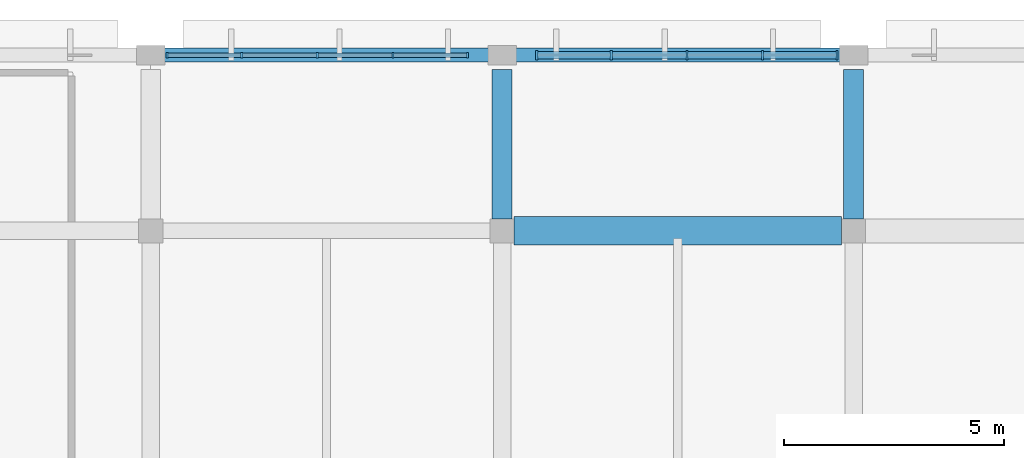
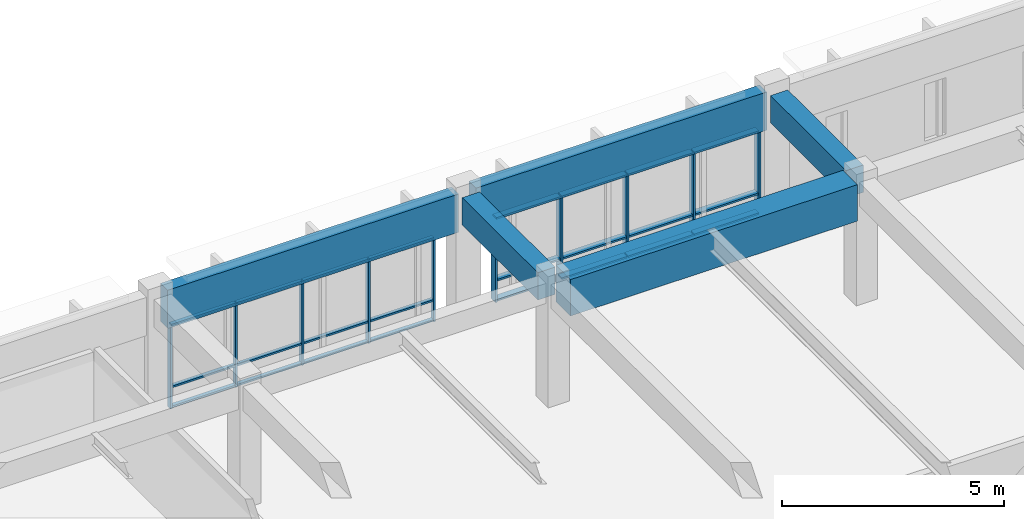
# One storey, part 20 of 155: 34 members, 5 beams, 2 elements without a shape of their own.
"""IFC4 building model written with IfcOpenShell, lengths in metres."""

import ifcopenshell
import ifcopenshell.guid

model = None  # the IFC model being written
_history = None  # IfcOwnerHistory: only IFC2X3 demands one
_inside = {}  # id of a spatial element -> (the spatial element, [elements in it])
_under = {}  # id of a project, library or spatial element -> (it, [spatial elements below it])
_declared = {}  # id of a project -> (the project, [libraries it declares])
_typed = {}  # id of a type object -> (the type object, [elements of that type])
_made_of = {}  # id of a material, layer set ... -> (it, [elements and type objects made of it])


def new_model(schema):
    """Start an empty IFC model of exactly this schema.

    Asked for "IFC4X3", IfcOpenShell would pick the latest addendum, in which some entities
    have other attributes; the version numbers below select the first issue.
    IFC2X3 requires an IfcOwnerHistory on every rooted entity: one is made here for all.
    """
    global model, _history
    if schema == "IFC4X3":
        model = ifcopenshell.file(schema_version=(4, 3, 0, 0))
    else:
        model = ifcopenshell.file(schema=schema)
    _inside.clear()
    _under.clear()
    _declared.clear()
    _typed.clear()
    _made_of.clear()
    _history = None
    if model.schema == "IFC2X3":
        org = make("IfcOrganization", Name="unknown")
        user = make(
            "IfcPersonAndOrganization",
            ThePerson=make("IfcPerson", FamilyName="unknown"),
            TheOrganization=org,
        )
        app = make(
            "IfcApplication",
            ApplicationDeveloper=org,
            Version="unknown",
            ApplicationFullName="unknown",
            ApplicationIdentifier="unknown",
        )
        _history = make(
            "IfcOwnerHistory",
            OwningUser=user,
            OwningApplication=app,
            ChangeAction="ADDED",
            CreationDate=0,
        )
    return model


def make(cls, **values):
    """One entity of the class cls with the attributes given. An attribute that is None is left unset."""
    return model.create_entity(
        cls, **{name: value for name, value in values.items() if value is not None}
    )


def rooted(cls, **values):
    """An entity with a GlobalId (a new one), such as an element, a storey or a relation."""
    return make(cls, GlobalId=ifcopenshell.guid.new(), OwnerHistory=_history, **values)


def si_unit(unit_type, name, prefix=None):
    """IfcSIUnit, for example si_unit("LENGTHUNIT", "METRE", prefix="MILLI")."""
    return make("IfcSIUnit", UnitType=unit_type, Prefix=prefix, Name=name)


def assignment(units):
    """IfcUnitAssignment: the units of a project."""
    return None if units is None else make("IfcUnitAssignment", Units=units)


def point(xyz):
    """IfcCartesianPoint."""
    return None if xyz is None else make("IfcCartesianPoint", Coordinates=xyz)


def direction(xyz):
    """IfcDirection."""
    return None if xyz is None else make("IfcDirection", DirectionRatios=xyz)


def frame(location, z_axis=None, x_axis=None):
    """IfcAxis2Placement3D, a coordinate frame: its origin and axes. An axis left out is left unset."""
    return make(
        "IfcAxis2Placement3D",
        Location=point(location),
        Axis=direction(z_axis),
        RefDirection=direction(x_axis),
    )


def frame_2d(location, x_axis=None):
    """IfcAxis2Placement2D, a coordinate frame in the plane: its origin and x axis."""
    return make(
        "IfcAxis2Placement2D", Location=point(location), RefDirection=direction(x_axis)
    )


def origin():
    """The frame at (0, 0, 0) with its axes left unset."""
    return frame((0.0, 0.0, 0.0))


def origin_2d():
    """The frame at (0, 0) in the plane with its x axis left unset."""
    return frame_2d((0.0, 0.0))


def place(relative_to, where):
    """IfcLocalPlacement: puts the frame where relative to a parent placement (None: the world)."""
    return make(
        "IfcLocalPlacement", PlacementRelTo=relative_to, RelativePlacement=where
    )


def context(
    kind, dimensions, precision=None, world=None, true_north=None, identifier=None
):
    """IfcGeometricRepresentationContext, for example the 3D "Model" context."""
    return make(
        "IfcGeometricRepresentationContext",
        ContextIdentifier=identifier,
        ContextType=kind,
        CoordinateSpaceDimension=dimensions,
        Precision=precision,
        WorldCoordinateSystem=world,
        TrueNorth=true_north,
    )


def subcontext(parent, identifier, kind, view, scale=None):
    """IfcGeometricRepresentationSubContext, for example "Body" below "Model"."""
    return make(
        "IfcGeometricRepresentationSubContext",
        ContextIdentifier=identifier,
        ContextType=kind,
        ParentContext=parent,
        TargetScale=scale,
        TargetView=view,
    )


def project(units=None, contexts=None):
    """IfcProject with its units and contexts."""
    return rooted(
        "IfcProject",
        Name="project",
        RepresentationContexts=contexts,
        UnitsInContext=assignment(units),
    )


def spatial(cls, under=None, at=None, **own):
    """A site, building, storey or space (cls), placed at a placement, below another one or the project."""
    s = rooted(cls, ObjectPlacement=at, **own)
    if under is not None:
        _under.setdefault(under.id(), (under, []))[1].append(s)
    return s


def profile(cls, at=None, kind="AREA", **sizes):
    """A parametric profile (cls). Its sizes go by their IFC names, for example OverallWidth=200.0."""
    return make(cls, ProfileType=kind, Position=at, **sizes)


def rectangle(**sizes):
    """IfcRectangleProfileDef."""
    return profile("IfcRectangleProfileDef", **sizes)


def extrude(swept, where, along, depth):
    """IfcExtrudedAreaSolid: the profile swept, set in the frame where, extruded along a direction by depth."""
    return make(
        "IfcExtrudedAreaSolid",
        SweptArea=swept,
        Position=where,
        ExtrudedDirection=direction(along),
        Depth=depth,
    )


def shape(context_of_items, identifier, shape_type, items):
    """IfcShapeRepresentation: the items that make up one representation, for example the "Body"."""
    return make(
        "IfcShapeRepresentation",
        ContextOfItems=context_of_items,
        RepresentationIdentifier=identifier,
        RepresentationType=shape_type,
        Items=items,
    )


def material(Name=None, Category=None):
    """IfcMaterial."""
    return make("IfcMaterial", Name=Name, Category=Category)


def material_profile(
    of_material, cross_section, Name=None, Category=None, Priority=None
):
    """IfcMaterialProfile: a cross section and its material."""
    return make(
        "IfcMaterialProfile",
        Name=Name,
        Material=of_material,
        Profile=cross_section,
        Priority=Priority,
        Category=Category,
    )


def profile_set(profiles, Name=None, composite=None):
    """IfcMaterialProfileSet."""
    return make(
        "IfcMaterialProfileSet",
        Name=Name,
        MaterialProfiles=profiles,
        CompositeProfile=composite,
    )


def made_of(thing, what):
    """Note that an element or type object is made of a material, layer set ...; save() writes the relation."""
    if what is not None:
        _made_of.setdefault(what.id(), (what, []))[1].append(thing)
    return thing


def type_object(cls, material=None, **own):
    """A type object (cls), such as IfcWallType, which elements share."""
    return made_of(rooted(cls, **own), material)


def element(
    cls,
    number,
    at=None,
    inside=None,
    cuts=None,
    type_object=None,
    material=None,
    context=None,
    identifier="Body",
    shape_type=None,
    held_by="IfcProductDefinitionShape",
    body=None,
    shapes=None,
    **own,
):
    """One element of the class cls, such as IfcWall. Its Tag is "e" and its number.

    at: its placement. inside: the storey or other place that contains it. cuts: it is an
    opening in that element (IfcRelVoidsElement). A single representation is given by context,
    identifier, shape_type and body (its items); several are given by shapes. held_by: the class
    of the entity that holds the representations. save() writes the other relations.
    """
    e = rooted(cls, Tag="e%d" % number, ObjectPlacement=at, **own)
    if body is not None:
        shapes = [shape(context, identifier, shape_type, body)]
    if shapes is not None:
        e.Representation = make(held_by, Representations=shapes)
    if inside is not None:
        _inside.setdefault(inside.id(), (inside, []))[1].append(e)
    if cuts is not None:
        rooted(
            "IfcRelVoidsElement", RelatingBuildingElement=cuts, RelatedOpeningElement=e
        )
    if type_object is not None:
        _typed.setdefault(type_object.id(), (type_object, []))[1].append(e)
    return made_of(e, material)


def aggregate(whole, parts):
    """IfcRelAggregates: a whole, such as a stair, and the parts it consists of."""
    return rooted("IfcRelAggregates", RelatingObject=whole, RelatedObjects=parts)


def save(model, path):
    """Write the relations noted so far, then the file.

    IfcRelAggregates (storeys below a building ...), IfcRelContainedInSpatialStructure (elements
    in a storey), IfcRelDefinesByType, IfcRelAssociatesMaterial and IfcRelDeclares: one each for
    every whole, place, type object, material and project.
    """
    for whole, parts in _under.values():
        aggregate(whole, parts)
    for where, things in _inside.values():
        rooted(
            "IfcRelContainedInSpatialStructure",
            RelatedElements=things,
            RelatingStructure=where,
        )
    for kind, things in _typed.values():
        rooted("IfcRelDefinesByType", RelatedObjects=things, RelatingType=kind)
    for what, things in _made_of.values():
        rooted("IfcRelAssociatesMaterial", RelatedObjects=things, RelatingMaterial=what)
    for by, libraries in _declared.values():
        rooted("IfcRelDeclares", RelatingContext=by, RelatedDefinitions=libraries)
    model.write(path)


model = new_model("IFC4")

# Units and contexts
model_context = context("Model", 3, precision=1e-05, world=origin(), true_north=direction((0.0, 1.0)))
body_context = subcontext(model_context, "Body", "Model", "MODEL_VIEW")
ifc_project = project(units=[si_unit("LENGTHUNIT", "METRE"), si_unit("AREAUNIT", "SQUARE_METRE"), si_unit("VOLUMEUNIT", "CUBIC_METRE"), si_unit("PLANEANGLEUNIT", "RADIAN"), si_unit("MASSUNIT", "GRAM", prefix="KILO")], contexts=[model_context])

# Site, building, storey
site_placement = place(None, origin())
site = spatial("IfcSite", under=ifc_project, at=site_placement, CompositionType="ELEMENT")
building_placement = place(site_placement, origin())
building = spatial("IfcBuilding", under=site, at=building_placement, Name="Larkveld Mobility Hub", CompositionType="ELEMENT")
storey_placement = place(building_placement, frame((0.0, 0.0, 8.39990234375)))
storey = spatial("IfcBuildingStorey", under=building, at=storey_placement, Name="L02", CompositionType="ELEMENT", Elevation=8.39990234375)

# Beams
ifc_material_1 = material(Name="Concrete C40/50", Category="concrete")
ifc_material_profile_1 = material_profile(ifc_material_1, rectangle(XDim=0.449951171875, YDim=0.75, at=origin_2d()), Name="RC BM 450x750")
ifc_profile_set_1 = profile_set([ifc_material_profile_1], Name="Concrete C40/50")
beam_type_1 = type_object("IfcBeamType", Name="BM-RC4575", PredefinedType="BEAM", material=ifc_profile_set_1)
for number, where, z_axis, x_axis, name in (
    (1, (56.0, 122.27490234375, 2.985107421875), (0.0, 1.0, 0.0), (-1.0, 0.0, 0.0), "Primary N-S Girder L02-0603"),
    (2, (64.0, 122.27490234375, 2.985107421875), (0.0, 1.0, 0.0), (-1.0, 0.0, 0.0), "Primary N-S Girder L02-0606"),
):
    element("IfcBeam", number, at=place(storey_placement, frame(where, z_axis=z_axis, x_axis=x_axis)), inside=storey, type_object=beam_type_1, Name=name, PredefinedType="BEAM", context=body_context, shape_type="SweptSolid", body=[
        extrude(rectangle(XDim=0.449951171875, YDim=0.75, at=origin_2d()), origin(), (0.0, 0.0, 1.0), 3.400146484375),
    ])
ifc_material_profile_2 = material_profile(ifc_material_1, rectangle(XDim=0.64990234375, YDim=1.0, at=origin_2d()), Name="RC BM 650x1000")
ifc_profile_set_2 = profile_set([ifc_material_profile_2], Name="Concrete C40/50")
beam_type_2 = type_object("IfcBeamType", Name="BM-RC65100", PredefinedType="BEAM", material=ifc_profile_set_2)
beam_placement = place(storey_placement, frame((56.27490234375, 122.0, 2.860107421875), z_axis=(1.0, 0.0, 0.0), x_axis=(0.0, 1.0, 0.0)))
element("IfcBeam", 3, at=beam_placement, inside=storey, type_object=beam_type_2, Name="Primary E-W Girder L02-0575", PredefinedType="BEAM", context=body_context, shape_type="SweptSolid", body=[
    extrude(rectangle(XDim=0.64990234375, YDim=1.0, at=origin_2d()), origin(), (0.0, 0.0, 1.0), 7.4501953125),
])
ifc_material_2 = material(Name="Precast concrete C50/60", Category="concrete")
ifc_material_profile_3 = material_profile(ifc_material_2, rectangle(XDim=0.320068359375, YDim=1.050048828125, at=origin_2d()), Name="PC SP 320x1050")
ifc_profile_set_3 = profile_set([ifc_material_profile_3], Name="Precast concrete C50/60")
beam_type_3 = type_object("IfcBeamType", Name="BM-SP32105", PredefinedType="SPANDREL", material=ifc_profile_set_3)
for number, where, z_axis, x_axis, name in (
    (4, (48.22509765625, 126.0, 2.835205078125), (1.0, 0.0, 0.0), (0.0, 1.0, 0.0), "Primary E-W Girder L02-0583"),
    (5, (56.22509765625, 126.0, 2.835205078125), (1.0, 0.0, 0.0), (0.0, 1.0, 0.0), "Primary E-W Girder L02-0584"),
):
    element("IfcBeam", number, at=place(storey_placement, frame(where, z_axis=z_axis, x_axis=x_axis)), inside=storey, type_object=beam_type_3, Name=name, PredefinedType="SPANDREL", context=body_context, shape_type="SweptSolid", body=[
        extrude(rectangle(XDim=0.320068359375, YDim=1.050048828125, at=origin_2d()), origin(), (0.0, 0.0, 1.0), 7.5498046875),
    ])

# Curtain wall, members
ifc_material_3 = material(Name="Anodised aluminium 6063-T6", Category="aluminium")
curtain_wall_type_1 = type_object("IfcCurtainWallType", Name="CW-SYS-11", PredefinedType="NOTDEFINED", material=ifc_material_3)
curtain_wall_1_placement = place(storey_placement, origin())
curtain_wall_1 = element("IfcCurtainWall", 6, at=curtain_wall_1_placement, inside=storey, type_object=curtain_wall_type_1, Name="Bicycle Hall North Curtain Wall L02 CW-083", PredefinedType="NOTDEFINED")
ifc_material_profile_4 = material_profile(ifc_material_3, rectangle(XDim=0.050048828125, YDim=0.2099609375, at=origin_2d()), Name="ALU MULL 50x210")
ifc_profile_set_4 = profile_set([ifc_material_profile_4], Name="Anodised aluminium 6063-T6")
member_type_1 = type_object("IfcMemberType", Name="CW-MUL-03", PredefinedType="MULLION", material=ifc_profile_set_4)
member_1_placement = place(storey_placement, frame((63.625, 126.0, -0.001953125), z_axis=(0.0, 0.0, 1.0), x_axis=(-1.0, 0.0, 0.0)))
member_1 = element("IfcMember", 7, at=member_1_placement, type_object=member_type_1, Name="CW11 mullion 1", PredefinedType="MULLION", context=body_context, shape_type="SweptSolid", body=[
    extrude(rectangle(XDim=0.050048828125, YDim=0.2099609375, at=origin_2d()), origin(), (0.0, 0.0, 1.0), 2.31201171875),
])
member_2_placement = place(storey_placement, frame((61.928955078125, 126.0, -0.001953125), z_axis=(0.0, 0.0, 1.0), x_axis=(-1.0, 0.0, 0.0)))
member_2 = element("IfcMember", 8, at=member_2_placement, type_object=member_type_1, Name="CW11 mullion 2", PredefinedType="MULLION", context=body_context, shape_type="SweptSolid", body=[
    extrude(rectangle(XDim=0.050048828125, YDim=0.2099609375, at=origin_2d()), origin(), (0.0, 0.0, 1.0), 2.31201171875),
])
member_3_placement = place(storey_placement, frame((60.20703125, 126.0, -0.001953125), z_axis=(0.0, 0.0, 1.0), x_axis=(-1.0, 0.0, 0.0)))
member_3 = element("IfcMember", 9, at=member_3_placement, type_object=member_type_1, Name="CW11 mullion 3", PredefinedType="MULLION", context=body_context, shape_type="SweptSolid", body=[
    extrude(rectangle(XDim=0.050048828125, YDim=0.2099609375, at=origin_2d()), origin(), (0.0, 0.0, 1.0), 2.31201171875),
])
member_4_placement = place(storey_placement, frame((58.486083984375, 126.0, -0.001953125), z_axis=(0.0, 0.0, 1.0), x_axis=(-1.0, 0.0, 0.0)))
member_4 = element("IfcMember", 10, at=member_4_placement, type_object=member_type_1, Name="CW11 mullion 4", PredefinedType="MULLION", context=body_context, shape_type="SweptSolid", body=[
    extrude(rectangle(XDim=0.050048828125, YDim=0.2099609375, at=origin_2d()), origin(), (0.0, 0.0, 1.0), 2.31201171875),
])
member_5_placement = place(storey_placement, frame((56.7900390625, 126.0, -0.001953125), z_axis=(0.0, 0.0, 1.0), x_axis=(-1.0, 0.0, 0.0)))
member_5 = element("IfcMember", 11, at=member_5_placement, type_object=member_type_1, Name="CW11 mullion 5", PredefinedType="MULLION", context=body_context, shape_type="SweptSolid", body=[
    extrude(rectangle(XDim=0.050048828125, YDim=0.2099609375, at=origin_2d()), origin(), (0.0, 0.0, 1.0), 2.31201171875),
])

curtain_wall_type_2 = type_object("IfcCurtainWallType", Name="CW-SYS-12", PredefinedType="NOTDEFINED", material=ifc_material_3)
curtain_wall_2_placement = place(storey_placement, origin())
curtain_wall_2 = element("IfcCurtainWall", 12, at=curtain_wall_2_placement, inside=storey, type_object=curtain_wall_type_2, Name="Bicycle Hall North Curtain Wall L02 CW-084", PredefinedType="NOTDEFINED")
ifc_material_profile_5 = material_profile(ifc_material_3, rectangle(XDim=0.050048828125, YDim=0.1298828125, at=origin_2d()), Name="ALU MULL 50x130")
ifc_profile_set_5 = profile_set([ifc_material_profile_5], Name="Anodised aluminium 6063-T6")
member_type_2 = type_object("IfcMemberType", Name="CW-MUL-04", PredefinedType="MULLION", material=ifc_profile_set_5)
member_6_placement = place(storey_placement, frame((55.2099609375, 126.0, -0.001953125), z_axis=(0.0, 0.0, 1.0), x_axis=(-1.0, 0.0, 0.0)))
member_6 = element("IfcMember", 13, at=member_6_placement, type_object=member_type_2, Name="CW12 mullion 1", PredefinedType="MULLION", context=body_context, shape_type="SweptSolid", body=[
    extrude(rectangle(XDim=0.050048828125, YDim=0.1298828125, at=origin_2d()), origin(), (0.0, 0.0, 1.0), 2.31201171875),
])
member_7_placement = place(storey_placement, frame((53.513916015625, 126.0, -0.001953125), z_axis=(0.0, 0.0, 1.0), x_axis=(-1.0, 0.0, 0.0)))
member_7 = element("IfcMember", 14, at=member_7_placement, type_object=member_type_2, Name="CW12 mullion 2", PredefinedType="MULLION", context=body_context, shape_type="SweptSolid", body=[
    extrude(rectangle(XDim=0.050048828125, YDim=0.1298828125, at=origin_2d()), origin(), (0.0, 0.0, 1.0), 2.31201171875),
])
member_8_placement = place(storey_placement, frame((51.7919921875, 126.0, -0.001953125), z_axis=(0.0, 0.0, 1.0), x_axis=(-1.0, 0.0, 0.0)))
member_8 = element("IfcMember", 15, at=member_8_placement, type_object=member_type_2, Name="CW12 mullion 3", PredefinedType="MULLION", context=body_context, shape_type="SweptSolid", body=[
    extrude(rectangle(XDim=0.050048828125, YDim=0.1298828125, at=origin_2d()), origin(), (0.0, 0.0, 1.0), 2.31201171875),
])
member_9_placement = place(storey_placement, frame((50.071044921875, 126.0, -0.001953125), z_axis=(0.0, 0.0, 1.0), x_axis=(-1.0, 0.0, 0.0)))
member_9 = element("IfcMember", 16, at=member_9_placement, type_object=member_type_2, Name="CW12 mullion 4", PredefinedType="MULLION", context=body_context, shape_type="SweptSolid", body=[
    extrude(rectangle(XDim=0.050048828125, YDim=0.1298828125, at=origin_2d()), origin(), (0.0, 0.0, 1.0), 2.31201171875),
])
member_10_placement = place(storey_placement, frame((48.375, 126.0, -0.001953125), z_axis=(0.0, 0.0, 1.0), x_axis=(-1.0, 0.0, 0.0)))
member_10 = element("IfcMember", 17, at=member_10_placement, type_object=member_type_2, Name="CW12 mullion 5", PredefinedType="MULLION", context=body_context, shape_type="SweptSolid", body=[
    extrude(rectangle(XDim=0.050048828125, YDim=0.1298828125, at=origin_2d()), origin(), (0.0, 0.0, 1.0), 2.31201171875),
])

# Member
ifc_material_profile_6 = material_profile(ifc_material_3, rectangle(XDim=0.169921875, YDim=0.050048828125, at=origin_2d()), Name="ALU TRAN 50x170")
ifc_profile_set_6 = profile_set([ifc_material_profile_6], Name="Anodised aluminium 6063-T6")
member_type_3 = type_object("IfcMemberType", Name="CW-TRN-03", PredefinedType="USERDEFINED", material=ifc_profile_set_6)
member_11_placement = place(storey_placement, frame((63.614990234375, 126.0, 0.030029296875), z_axis=(-1.0, 0.0, 0.0), x_axis=(0.0, -1.0, 0.0)))
member_11 = element("IfcMember", 18, at=member_11_placement, type_object=member_type_3, Name="CW11 transom 1.1", ObjectType="TRANSOM", PredefinedType="USERDEFINED", context=body_context, shape_type="SweptSolid", body=[
    extrude(rectangle(XDim=0.169921875, YDim=0.050048828125, at=origin_2d()), origin(), (0.0, 0.0, 1.0), 1.6708984375),
])

member_12_placement = place(storey_placement, frame((63.614990234375, 126.0, 0.5771484375), z_axis=(-1.0, 0.0, 0.0), x_axis=(0.0, -1.0, 0.0)))
member_12 = element("IfcMember", 19, at=member_12_placement, type_object=member_type_3, Name="CW11 transom 1.2", ObjectType="TRANSOM", PredefinedType="USERDEFINED", context=body_context, shape_type="SweptSolid", body=[
    extrude(rectangle(XDim=0.169921875, YDim=0.050048828125, at=origin_2d()), origin(), (0.0, 0.0, 1.0), 1.6708984375),
])

member_13_placement = place(storey_placement, frame((63.614990234375, 126.0, 2.278076171875), z_axis=(-1.0, 0.0, 0.0), x_axis=(0.0, -1.0, 0.0)))
member_13 = element("IfcMember", 20, at=member_13_placement, type_object=member_type_3, Name="CW11 transom 1.3", ObjectType="TRANSOM", PredefinedType="USERDEFINED", context=body_context, shape_type="SweptSolid", body=[
    extrude(rectangle(XDim=0.169921875, YDim=0.050048828125, at=origin_2d()), origin(), (0.0, 0.0, 1.0), 1.6708984375),
])

member_14_placement = place(storey_placement, frame((61.9140625, 126.0, 0.030029296875), z_axis=(-1.0, 0.0, 0.0), x_axis=(0.0, -1.0, 0.0)))
member_14 = element("IfcMember", 21, at=member_14_placement, type_object=member_type_3, Name="CW11 transom 2.1", ObjectType="TRANSOM", PredefinedType="USERDEFINED", context=body_context, shape_type="SweptSolid", body=[
    extrude(rectangle(XDim=0.169921875, YDim=0.050048828125, at=origin_2d()), origin(), (0.0, 0.0, 1.0), 1.692138671875),
])

member_15_placement = place(storey_placement, frame((61.9140625, 126.0, 0.5771484375), z_axis=(-1.0, 0.0, 0.0), x_axis=(0.0, -1.0, 0.0)))
member_15 = element("IfcMember", 22, at=member_15_placement, type_object=member_type_3, Name="CW11 transom 2.2", ObjectType="TRANSOM", PredefinedType="USERDEFINED", context=body_context, shape_type="SweptSolid", body=[
    extrude(rectangle(XDim=0.169921875, YDim=0.050048828125, at=origin_2d()), origin(), (0.0, 0.0, 1.0), 1.692138671875),
])

member_16_placement = place(storey_placement, frame((61.9140625, 126.0, 2.278076171875), z_axis=(-1.0, 0.0, 0.0), x_axis=(0.0, -1.0, 0.0)))
member_16 = element("IfcMember", 23, at=member_16_placement, type_object=member_type_3, Name="CW11 transom 2.3", ObjectType="TRANSOM", PredefinedType="USERDEFINED", context=body_context, shape_type="SweptSolid", body=[
    extrude(rectangle(XDim=0.169921875, YDim=0.050048828125, at=origin_2d()), origin(), (0.0, 0.0, 1.0), 1.692138671875),
])

member_17_placement = place(storey_placement, frame((60.19189453125, 126.0, 0.030029296875), z_axis=(-1.0, 0.0, 0.0), x_axis=(0.0, -1.0, 0.0)))
member_17 = element("IfcMember", 24, at=member_17_placement, type_object=member_type_3, Name="CW11 transom 3.1", ObjectType="TRANSOM", PredefinedType="USERDEFINED", context=body_context, shape_type="SweptSolid", body=[
    extrude(rectangle(XDim=0.169921875, YDim=0.050048828125, at=origin_2d()), origin(), (0.0, 0.0, 1.0), 1.69091796875),
])

member_18_placement = place(storey_placement, frame((60.19189453125, 126.0, 0.5771484375), z_axis=(-1.0, 0.0, 0.0), x_axis=(0.0, -1.0, 0.0)))
member_18 = element("IfcMember", 25, at=member_18_placement, type_object=member_type_3, Name="CW11 transom 3.2", ObjectType="TRANSOM", PredefinedType="USERDEFINED", context=body_context, shape_type="SweptSolid", body=[
    extrude(rectangle(XDim=0.169921875, YDim=0.050048828125, at=origin_2d()), origin(), (0.0, 0.0, 1.0), 1.69091796875),
])

member_19_placement = place(storey_placement, frame((60.19189453125, 126.0, 2.278076171875), z_axis=(-1.0, 0.0, 0.0), x_axis=(0.0, -1.0, 0.0)))
member_19 = element("IfcMember", 26, at=member_19_placement, type_object=member_type_3, Name="CW11 transom 3.3", ObjectType="TRANSOM", PredefinedType="USERDEFINED", context=body_context, shape_type="SweptSolid", body=[
    extrude(rectangle(XDim=0.169921875, YDim=0.050048828125, at=origin_2d()), origin(), (0.0, 0.0, 1.0), 1.69091796875),
])

member_20_placement = place(storey_placement, frame((58.470947265625, 126.0, 0.030029296875), z_axis=(-1.0, 0.0, 0.0), x_axis=(0.0, -1.0, 0.0)))
member_20 = element("IfcMember", 27, at=member_20_placement, type_object=member_type_3, Name="CW11 transom 4.1", ObjectType="TRANSOM", PredefinedType="USERDEFINED", context=body_context, shape_type="SweptSolid", body=[
    extrude(rectangle(XDim=0.169921875, YDim=0.050048828125, at=origin_2d()), origin(), (0.0, 0.0, 1.0), 1.6708984375),
])

member_21_placement = place(storey_placement, frame((58.470947265625, 126.0, 0.5771484375), z_axis=(-1.0, 0.0, 0.0), x_axis=(0.0, -1.0, 0.0)))
member_21 = element("IfcMember", 28, at=member_21_placement, type_object=member_type_3, Name="CW11 transom 4.2", ObjectType="TRANSOM", PredefinedType="USERDEFINED", context=body_context, shape_type="SweptSolid", body=[
    extrude(rectangle(XDim=0.169921875, YDim=0.050048828125, at=origin_2d()), origin(), (0.0, 0.0, 1.0), 1.6708984375),
])

member_22_placement = place(storey_placement, frame((58.470947265625, 126.0, 2.278076171875), z_axis=(-1.0, 0.0, 0.0), x_axis=(0.0, -1.0, 0.0)))
member_22 = element("IfcMember", 29, at=member_22_placement, type_object=member_type_3, Name="CW11 transom 4.3", ObjectType="TRANSOM", PredefinedType="USERDEFINED", context=body_context, shape_type="SweptSolid", body=[
    extrude(rectangle(XDim=0.169921875, YDim=0.050048828125, at=origin_2d()), origin(), (0.0, 0.0, 1.0), 1.6708984375),
])

aggregate(curtain_wall_1, [member_1, member_2, member_3, member_4, member_5, member_11, member_12, member_13, member_14, member_15, member_16, member_17, member_18, member_19, member_20, member_21, member_22])

ifc_material_profile_7 = material_profile(ifc_material_3, rectangle(XDim=0.10009765625, YDim=0.050048828125, at=origin_2d()), Name="ALU TRAN 50x100")
ifc_profile_set_7 = profile_set([ifc_material_profile_7], Name="Anodised aluminium 6063-T6")
member_type_4 = type_object("IfcMemberType", Name="CW-TRN-04", PredefinedType="USERDEFINED", material=ifc_profile_set_7)
member_23_placement = place(storey_placement, frame((55.199951171875, 126.0, 0.030029296875), z_axis=(-1.0, 0.0, 0.0), x_axis=(0.0, -1.0, 0.0)))
member_23 = element("IfcMember", 30, at=member_23_placement, type_object=member_type_4, Name="CW12 transom 1.1", ObjectType="TRANSOM", PredefinedType="USERDEFINED", context=body_context, shape_type="SweptSolid", body=[
    extrude(rectangle(XDim=0.10009765625, YDim=0.050048828125, at=origin_2d()), origin(), (0.0, 0.0, 1.0), 1.6708984375),
])

member_24_placement = place(storey_placement, frame((55.199951171875, 126.0, 0.5771484375), z_axis=(-1.0, 0.0, 0.0), x_axis=(0.0, -1.0, 0.0)))
member_24 = element("IfcMember", 31, at=member_24_placement, type_object=member_type_4, Name="CW12 transom 1.2", ObjectType="TRANSOM", PredefinedType="USERDEFINED", context=body_context, shape_type="SweptSolid", body=[
    extrude(rectangle(XDim=0.10009765625, YDim=0.050048828125, at=origin_2d()), origin(), (0.0, 0.0, 1.0), 1.6708984375),
])

member_25_placement = place(storey_placement, frame((55.199951171875, 126.0, 2.278076171875), z_axis=(-1.0, 0.0, 0.0), x_axis=(0.0, -1.0, 0.0)))
member_25 = element("IfcMember", 32, at=member_25_placement, type_object=member_type_4, Name="CW12 transom 1.3", ObjectType="TRANSOM", PredefinedType="USERDEFINED", context=body_context, shape_type="SweptSolid", body=[
    extrude(rectangle(XDim=0.10009765625, YDim=0.050048828125, at=origin_2d()), origin(), (0.0, 0.0, 1.0), 1.6708984375),
])

member_26_placement = place(storey_placement, frame((53.4990234375, 126.0, 0.030029296875), z_axis=(-1.0, 0.0, 0.0), x_axis=(0.0, -1.0, 0.0)))
member_26 = element("IfcMember", 33, at=member_26_placement, type_object=member_type_4, Name="CW12 transom 2.1", ObjectType="TRANSOM", PredefinedType="USERDEFINED", context=body_context, shape_type="SweptSolid", body=[
    extrude(rectangle(XDim=0.10009765625, YDim=0.050048828125, at=origin_2d()), origin(), (0.0, 0.0, 1.0), 1.692138671875),
])

member_27_placement = place(storey_placement, frame((53.4990234375, 126.0, 0.5771484375), z_axis=(-1.0, 0.0, 0.0), x_axis=(0.0, -1.0, 0.0)))
member_27 = element("IfcMember", 34, at=member_27_placement, type_object=member_type_4, Name="CW12 transom 2.2", ObjectType="TRANSOM", PredefinedType="USERDEFINED", context=body_context, shape_type="SweptSolid", body=[
    extrude(rectangle(XDim=0.10009765625, YDim=0.050048828125, at=origin_2d()), origin(), (0.0, 0.0, 1.0), 1.692138671875),
])

member_28_placement = place(storey_placement, frame((53.4990234375, 126.0, 2.278076171875), z_axis=(-1.0, 0.0, 0.0), x_axis=(0.0, -1.0, 0.0)))
member_28 = element("IfcMember", 35, at=member_28_placement, type_object=member_type_4, Name="CW12 transom 2.3", ObjectType="TRANSOM", PredefinedType="USERDEFINED", context=body_context, shape_type="SweptSolid", body=[
    extrude(rectangle(XDim=0.10009765625, YDim=0.050048828125, at=origin_2d()), origin(), (0.0, 0.0, 1.0), 1.692138671875),
])

member_29_placement = place(storey_placement, frame((51.777099609375, 126.0, 0.030029296875), z_axis=(-1.0, 0.0, 0.0), x_axis=(0.0, -1.0, 0.0)))
member_29 = element("IfcMember", 36, at=member_29_placement, type_object=member_type_4, Name="CW12 transom 3.1", ObjectType="TRANSOM", PredefinedType="USERDEFINED", context=body_context, shape_type="SweptSolid", body=[
    extrude(rectangle(XDim=0.10009765625, YDim=0.050048828125, at=origin_2d()), origin(), (0.0, 0.0, 1.0), 1.691162109375),
])

member_30_placement = place(storey_placement, frame((51.777099609375, 126.0, 0.5771484375), z_axis=(-1.0, 0.0, 0.0), x_axis=(0.0, -1.0, 0.0)))
member_30 = element("IfcMember", 37, at=member_30_placement, type_object=member_type_4, Name="CW12 transom 3.2", ObjectType="TRANSOM", PredefinedType="USERDEFINED", context=body_context, shape_type="SweptSolid", body=[
    extrude(rectangle(XDim=0.10009765625, YDim=0.050048828125, at=origin_2d()), origin(), (0.0, 0.0, 1.0), 1.691162109375),
])

member_31_placement = place(storey_placement, frame((51.777099609375, 126.0, 2.278076171875), z_axis=(-1.0, 0.0, 0.0), x_axis=(0.0, -1.0, 0.0)))
member_31 = element("IfcMember", 38, at=member_31_placement, type_object=member_type_4, Name="CW12 transom 3.3", ObjectType="TRANSOM", PredefinedType="USERDEFINED", context=body_context, shape_type="SweptSolid", body=[
    extrude(rectangle(XDim=0.10009765625, YDim=0.050048828125, at=origin_2d()), origin(), (0.0, 0.0, 1.0), 1.691162109375),
])

member_32_placement = place(storey_placement, frame((50.055908203125, 126.0, 0.030029296875), z_axis=(-1.0, 0.0, 0.0), x_axis=(0.0, -1.0, 0.0)))
member_32 = element("IfcMember", 39, at=member_32_placement, type_object=member_type_4, Name="CW12 transom 4.1", ObjectType="TRANSOM", PredefinedType="USERDEFINED", context=body_context, shape_type="SweptSolid", body=[
    extrude(rectangle(XDim=0.10009765625, YDim=0.050048828125, at=origin_2d()), origin(), (0.0, 0.0, 1.0), 1.6708984375),
])

member_33_placement = place(storey_placement, frame((50.055908203125, 126.0, 0.5771484375), z_axis=(-1.0, 0.0, 0.0), x_axis=(0.0, -1.0, 0.0)))
member_33 = element("IfcMember", 40, at=member_33_placement, type_object=member_type_4, Name="CW12 transom 4.2", ObjectType="TRANSOM", PredefinedType="USERDEFINED", context=body_context, shape_type="SweptSolid", body=[
    extrude(rectangle(XDim=0.10009765625, YDim=0.050048828125, at=origin_2d()), origin(), (0.0, 0.0, 1.0), 1.6708984375),
])

member_34_placement = place(storey_placement, frame((50.055908203125, 126.0, 2.278076171875), z_axis=(-1.0, 0.0, 0.0), x_axis=(0.0, -1.0, 0.0)))
member_34 = element("IfcMember", 41, at=member_34_placement, type_object=member_type_4, Name="CW12 transom 4.3", ObjectType="TRANSOM", PredefinedType="USERDEFINED", context=body_context, shape_type="SweptSolid", body=[
    extrude(rectangle(XDim=0.10009765625, YDim=0.050048828125, at=origin_2d()), origin(), (0.0, 0.0, 1.0), 1.6708984375),
])

aggregate(curtain_wall_2, [member_6, member_7, member_8, member_9, member_10, member_23, member_24, member_25, member_26, member_27, member_28, member_29, member_30, member_31, member_32, member_33, member_34])

save(model, "model.ifc")
